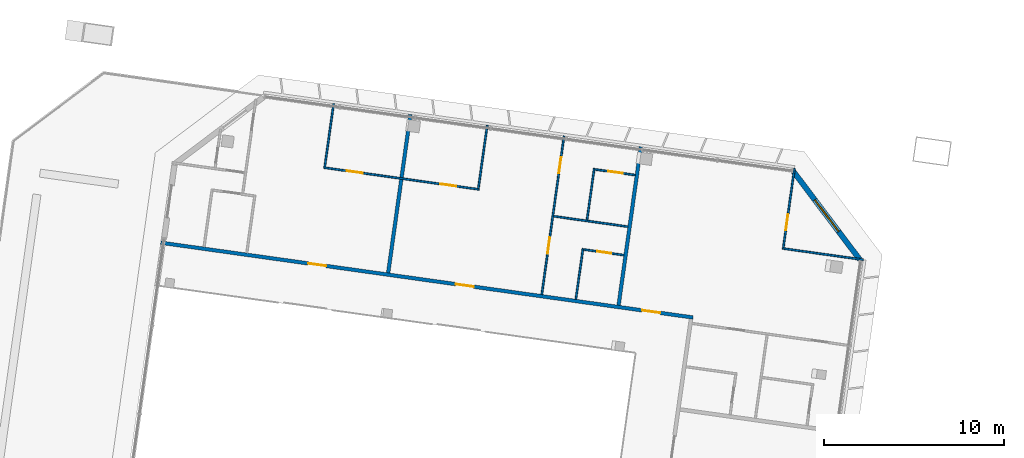
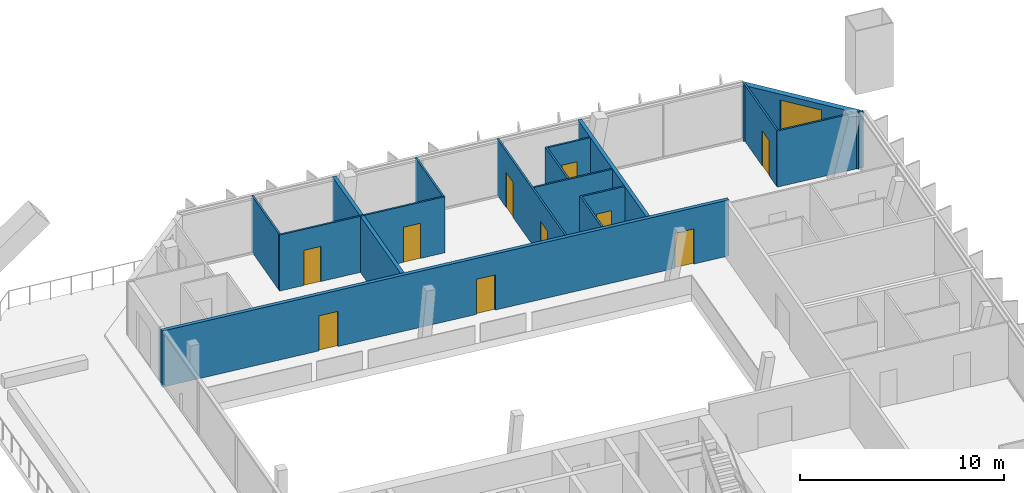
# One storey, part 11 of 17: 15 walls, 10 doors, 1 window, 11 openings.
"""IFC4 building model written with IfcOpenShell, lengths in metres."""

from ifc_helpers import new_model, si_unit, direction, frame, frame_2d, origin, place, context, subcontext, project, spatial, rectangle, extrude, material, layer, layer_set, type_object, element, fill, save


model = new_model("IFC4")

# Units and contexts
model_context = context("Model", 3, precision=1e-05, world=origin(), true_north=direction((0.0, 1.0)))
body_context = subcontext(model_context, "Body", "Model", "MODEL_VIEW")
ifc_project = project(units=[si_unit("LENGTHUNIT", "METRE"), si_unit("AREAUNIT", "SQUARE_METRE"), si_unit("VOLUMEUNIT", "CUBIC_METRE"), si_unit("PLANEANGLEUNIT", "RADIAN"), si_unit("MASSUNIT", "GRAM", prefix="KILO")], contexts=[model_context])

# Site, building, storey
site_placement = place(None, origin())
site = spatial("IfcSite", under=ifc_project, at=site_placement, CompositionType="ELEMENT")
building_placement = place(site_placement, origin())
building = spatial("IfcBuilding", under=site, at=building_placement, Name="Mirante Cascada Hotel Towers", CompositionType="ELEMENT")
storey_placement = place(building_placement, frame((0.0, 0.0, 250.8)))
storey = spatial("IfcBuildingStorey", under=building, at=storey_placement, Name="L60", CompositionType="ELEMENT", Elevation=250.8)

# Wall, openings, doors
ifc_material_1 = material(Name="Fire-rated plasterboard on metal studs")
ifc_layer_1 = layer(ifc_material_1, 0.2)
ifc_layer_set_1 = layer_set([ifc_layer_1], Name="Compartment wall 200 EI 120")
wall_type_1 = type_object("IfcWallType", Name="Compartment wall 200 EI 120", PredefinedType="PARTITIONING", material=ifc_layer_set_1)
wall_1_placement = place(storey_placement, frame((-25.7365, 7.4991, 0.0), z_axis=(0.0, 0.0, 1.0), x_axis=(-0.9902679, 0.139174, 0.0)))
wall_1 = element("IfcWall", 1, at=wall_1_placement, inside=storey, type_object=wall_type_1, Name="Wall 1-L60-11", PredefinedType="PARTITIONING", context=body_context, shape_type="SweptSolid", body=[
    extrude(rectangle(XDim=29.9, YDim=0.2, at=frame_2d((14.95, 0.0))), origin(), (0.0, 0.0, 1.0), 3.35),
])
opening_1_placement = place(wall_1_placement, frame((1.8472, 0.0, 0.0)))
opening_1 = element("IfcOpeningElement", 2, at=opening_1_placement, cuts=wall_1, Name="Opening D1-L60-06", PredefinedType="OPENING", context=body_context, shape_type="SweptSolid", body=[
    extrude(rectangle(XDim=1.0, YDim=2.1, at=frame_2d((0.5, 1.05))), frame((0.0, 0.1, 0.0), z_axis=(0.0, -1.0, 0.0), x_axis=(1.0, 0.0, 0.0)), (0.0, 0.0, 1.0), 0.2),
])
opening_2_placement = place(wall_1_placement, frame((12.3245, 0.0, 0.0)))
opening_2 = element("IfcOpeningElement", 3, at=opening_2_placement, cuts=wall_1, Name="Opening D1-L60-07", PredefinedType="OPENING", context=body_context, shape_type="SweptSolid", body=[
    extrude(rectangle(XDim=1.0, YDim=2.1, at=frame_2d((0.5, 1.05))), frame((0.0, 0.1, 0.0), z_axis=(0.0, -1.0, 0.0), x_axis=(1.0, 0.0, 0.0)), (0.0, 0.0, 1.0), 0.2),
])
opening_3_placement = place(wall_1_placement, frame((20.6122, 0.0, 0.0)))
opening_3 = element("IfcOpeningElement", 4, at=opening_3_placement, cuts=wall_1, Name="Opening D1-L60-08", PredefinedType="OPENING", context=body_context, shape_type="SweptSolid", body=[
    extrude(rectangle(XDim=1.0, YDim=2.1, at=frame_2d((0.5, 1.05))), frame((0.0, 0.1, 0.0), z_axis=(0.0, -1.0, 0.0), x_axis=(1.0, 0.0, 0.0)), (0.0, 0.0, 1.0), 0.2),
])
ifc_material_2 = material(Name="Fire-rated timber door leaf", Category="wood")
door_type_1 = type_object("IfcDoorType", Name="Entrance door DG1 1000x2100 EI 60", OperationType="SINGLE_SWING_LEFT", PredefinedType="DOOR", material=ifc_material_2)
door_1_placement = place(opening_1_placement, frame((1.0, 0.0, 0.0), z_axis=(0.0, 0.0, 1.0), x_axis=(-1.0, 0.0, 0.0)))
door_1 = element("IfcDoor", 5, at=door_1_placement, inside=storey, type_object=door_type_1, Name="Door D1-L60-06", OperationType="SINGLE_SWING_RIGHT", OverallHeight=2.1, OverallWidth=1.0, PredefinedType="DOOR", context=body_context, shape_type="SweptSolid", body=[
    extrude(rectangle(XDim=1.0, YDim=2.1, at=frame_2d((0.5, 1.05))), frame((0.0, 0.025, 0.0), z_axis=(0.0, -1.0, 0.0), x_axis=(1.0, 0.0, 0.0)), (0.0, 0.0, 1.0), 0.05),
])
fill(opening_1, door_1)
door_2_placement = place(opening_2_placement, frame((1.0, 0.0, 0.0), z_axis=(0.0, 0.0, 1.0), x_axis=(-1.0, 0.0, 0.0)))
door_2 = element("IfcDoor", 6, at=door_2_placement, inside=storey, type_object=door_type_1, Name="Door D1-L60-07", OperationType="SINGLE_SWING_RIGHT", OverallHeight=2.1, OverallWidth=1.0, PredefinedType="DOOR", context=body_context, shape_type="SweptSolid", body=[
    extrude(rectangle(XDim=1.0, YDim=2.1, at=frame_2d((0.5, 1.05))), frame((0.0, 0.025, 0.0), z_axis=(0.0, -1.0, 0.0), x_axis=(1.0, 0.0, 0.0)), (0.0, 0.0, 1.0), 0.05),
])
fill(opening_2, door_2)
door_3_placement = place(opening_3_placement, frame((1.0, 0.0, 0.0), z_axis=(0.0, 0.0, 1.0), x_axis=(-1.0, 0.0, 0.0)))
door_3 = element("IfcDoor", 7, at=door_3_placement, inside=storey, type_object=door_type_1, Name="Door D1-L60-08", OperationType="SINGLE_SWING_RIGHT", OverallHeight=2.1, OverallWidth=1.0, PredefinedType="DOOR", context=body_context, shape_type="SweptSolid", body=[
    extrude(rectangle(XDim=1.0, YDim=2.1, at=frame_2d((0.5, 1.05))), frame((0.0, 0.025, 0.0), z_axis=(0.0, -1.0, 0.0), x_axis=(1.0, 0.0, 0.0)), (0.0, 0.0, 1.0), 0.05),
])
fill(opening_3, door_3)

# Walls
for number, where, z_axis, x_axis, name in (
    (8, (-29.8761, 8.1818, 0.0), (0.0, 0.0, 1.0), (0.1391794, 0.9902672, 0.0), "Wall 1-L60-29"),
    (9, (-41.4567, 18.7969, 0.0), (0.0, 0.0, 1.0), (-0.1391794, -0.9902672, 0.0), "Wall 1-L60-34"),
):
    element("IfcWall", number, at=place(storey_placement, frame(where, z_axis=z_axis, x_axis=x_axis)), inside=storey, type_object=wall_type_1, Name=name, PredefinedType="PARTITIONING", context=body_context, shape_type="SweptSolid", body=[
        extrude(rectangle(XDim=8.9, YDim=0.2, at=frame_2d((4.45, 0.0))), origin(), (0.0, 0.0, 1.0), 3.35),
    ])

# Wall, opening, door
ifc_material_3 = material(Name="Plasterboard on metal studs")
ifc_layer_2 = layer(ifc_material_3, 0.1)
ifc_layer_set_2 = layer_set([ifc_layer_2], Name="Partition 100")
wall_type_2 = type_object("IfcWallType", Name="Partition 100", PredefinedType="PARTITIONING", material=ifc_layer_set_2)
wall_2_placement = place(storey_placement, frame((-31.8135, 11.2816, 0.0), z_axis=(0.0, 0.0, 1.0), x_axis=(0.9902705, -0.1391561, 0.0)))
wall_2 = element("IfcWall", 10, at=wall_2_placement, inside=storey, type_object=wall_type_2, Name="Wall 1-L60-12", PredefinedType="PARTITIONING", context=body_context, shape_type="SweptSolid", body=[
    extrude(rectangle(XDim=2.25, YDim=0.1, at=frame_2d((1.125, 0.0))), origin(), (0.0, 0.0, 1.0), 3.35),
])
opening_4_placement = place(wall_2_placement, frame((0.75, 0.0, 0.0)))
opening_4 = element("IfcOpeningElement", 11, at=opening_4_placement, cuts=wall_2, Name="Opening D1-L60-09", PredefinedType="OPENING", context=body_context, shape_type="SweptSolid", body=[
    extrude(rectangle(XDim=0.8, YDim=2.1, at=frame_2d((0.4, 1.05))), frame((0.0, 0.05, 0.0), z_axis=(0.0, -1.0, 0.0), x_axis=(1.0, 0.0, 0.0)), (0.0, 0.0, 1.0), 0.1),
])
ifc_material_4 = material(Name="Timber door leaf", Category="wood")
door_type_2 = type_object("IfcDoorType", Name="Bathroom door DG4 800x2100", OperationType="SINGLE_SWING_LEFT", PredefinedType="DOOR", material=ifc_material_4)
door_4_placement = place(opening_4_placement, frame((0.8, 0.0, 0.0), z_axis=(0.0, 0.0, 1.0), x_axis=(-1.0, 0.0, 0.0)))
door_4 = element("IfcDoor", 12, at=door_4_placement, inside=storey, type_object=door_type_2, Name="Door D1-L60-09", OperationType="SINGLE_SWING_RIGHT", OverallHeight=2.1, OverallWidth=0.8, PredefinedType="DOOR", context=body_context, shape_type="SweptSolid", body=[
    extrude(rectangle(XDim=0.8, YDim=2.1, at=frame_2d((0.4, 1.05))), frame((0.0, 0.025, 0.0), z_axis=(0.0, -1.0, 0.0), x_axis=(1.0, 0.0, 0.0)), (0.0, 0.0, 1.0), 0.05),
])
fill(opening_4, door_4)

# Walls
wall_3_placement = place(storey_placement, frame((-20.767, 11.3449, 0.0), z_axis=(0.0, 0.0, 1.0), x_axis=(0.9902661, -0.1391871, 0.0)))
element("IfcWall", 13, at=wall_3_placement, inside=storey, type_object=wall_type_2, Name="Wall 1-L60-14", PredefinedType="PARTITIONING", context=body_context, shape_type="SweptSolid", body=[
    extrude(rectangle(XDim=4.55, YDim=0.1, at=frame_2d((2.275, 0.0))), origin(), (0.0, 0.0, 1.0), 3.35),
])
wall_4_placement = place(storey_placement, frame((-29.3627, 12.5529, 0.0), z_axis=(0.0, 0.0, 1.0), x_axis=(-0.9902672, 0.1391791, 0.0)))
element("IfcWall", 14, at=wall_4_placement, inside=storey, type_object=wall_type_2, Name="Wall 1-L60-15", PredefinedType="PARTITIONING", context=body_context, shape_type="SweptSolid", body=[
    extrude(rectangle(XDim=4.1651, YDim=0.1, at=frame_2d((2.0826, 0.0))), origin(), (0.0, 0.0, 1.0), 3.35),
])

# Wall, openings, doors
wall_5_placement = place(storey_placement, frame((-37.6351, 14.6244, 0.0), z_axis=(0.0, 0.0, 1.0), x_axis=(-0.9902683, 0.1391711, 0.0)))
wall_5 = element("IfcWall", 15, at=wall_5_placement, inside=storey, type_object=wall_type_2, Name="Wall 1-L60-17", PredefinedType="PARTITIONING", context=body_context, shape_type="SweptSolid", body=[
    extrude(rectangle(XDim=8.7303, YDim=0.1, at=frame_2d((4.3652, 0.0))), origin(), (0.0, 0.0, 1.0), 3.35),
])
opening_5_placement = place(wall_5_placement, frame((1.2815, 0.0, 0.0)))
opening_5 = element("IfcOpeningElement", 16, at=opening_5_placement, cuts=wall_5, Name="Opening D1-L60-12", PredefinedType="OPENING", context=body_context, shape_type="SweptSolid", body=[
    extrude(rectangle(XDim=0.9, YDim=2.1, at=frame_2d((0.45, 1.05))), frame((0.0, 0.05, 0.0), z_axis=(0.0, -1.0, 0.0), x_axis=(1.0, 0.0, 0.0)), (0.0, 0.0, 1.0), 0.1),
])
opening_6_placement = place(wall_5_placement, frame((6.5487, 0.0, 0.0)))
opening_6 = element("IfcOpeningElement", 17, at=opening_6_placement, cuts=wall_5, Name="Opening D1-L60-13", PredefinedType="OPENING", context=body_context, shape_type="SweptSolid", body=[
    extrude(rectangle(XDim=0.9, YDim=2.1, at=frame_2d((0.45, 1.05))), frame((0.0, 0.05, 0.0), z_axis=(0.0, -1.0, 0.0), x_axis=(1.0, 0.0, 0.0)), (0.0, 0.0, 1.0), 0.1),
])
ifc_material_5 = material(Name="Timber door leaf", Category="wood")
door_type_3 = type_object("IfcDoorType", Name="Room door DG3 900x2100", OperationType="SINGLE_SWING_LEFT", PredefinedType="DOOR", material=ifc_material_5)
door_5_placement = place(opening_5_placement, origin())
door_5 = element("IfcDoor", 18, at=door_5_placement, inside=storey, type_object=door_type_3, Name="Door D1-L60-12", OperationType="SINGLE_SWING_LEFT", OverallHeight=2.1, OverallWidth=0.9, PredefinedType="DOOR", context=body_context, shape_type="SweptSolid", body=[
    extrude(rectangle(XDim=0.9, YDim=2.1, at=frame_2d((0.45, 1.05))), frame((0.0, 0.025, 0.0), z_axis=(0.0, -1.0, 0.0), x_axis=(1.0, 0.0, 0.0)), (0.0, 0.0, 1.0), 0.05),
])
fill(opening_5, door_5)
door_6_placement = place(opening_6_placement, origin())
door_6 = element("IfcDoor", 19, at=door_6_placement, inside=storey, type_object=door_type_3, Name="Door D1-L60-13", OperationType="SINGLE_SWING_LEFT", OverallHeight=2.1, OverallWidth=0.9, PredefinedType="DOOR", context=body_context, shape_type="SweptSolid", body=[
    extrude(rectangle(XDim=0.9, YDim=2.1, at=frame_2d((0.45, 1.05))), frame((0.0, 0.025, 0.0), z_axis=(0.0, -1.0, 0.0), x_axis=(1.0, 0.0, 0.0)), (0.0, 0.0, 1.0), 0.05),
])
fill(opening_6, door_6)

# Wall, opening, door
wall_6_placement = place(storey_placement, frame((-31.1872, 15.7379, 0.0), z_axis=(0.0, 0.0, 1.0), x_axis=(0.9902643, -0.1391997, 0.0)))
wall_6 = element("IfcWall", 20, at=wall_6_placement, inside=storey, type_object=wall_type_2, Name="Wall 1-L60-18", PredefinedType="PARTITIONING", context=body_context, shape_type="SweptSolid", body=[
    extrude(rectangle(XDim=2.25, YDim=0.1, at=frame_2d((1.125, 0.0))), origin(), (0.0, 0.0, 1.0), 3.35),
])
opening_7_placement = place(wall_6_placement, frame((0.75, 0.0, 0.0)))
opening_7 = element("IfcOpeningElement", 21, at=opening_7_placement, cuts=wall_6, Name="Opening D1-L60-14", PredefinedType="OPENING", context=body_context, shape_type="SweptSolid", body=[
    extrude(rectangle(XDim=0.8, YDim=2.1, at=frame_2d((0.4, 1.05))), frame((0.0, 0.05, 0.0), z_axis=(0.0, -1.0, 0.0), x_axis=(1.0, 0.0, 0.0)), (0.0, 0.0, 1.0), 0.1),
])
door_7_placement = place(opening_7_placement, frame((0.8, 0.0, 0.0), z_axis=(0.0, 0.0, 1.0), x_axis=(-1.0, 0.0, 0.0)))
door_7 = element("IfcDoor", 22, at=door_7_placement, inside=storey, type_object=door_type_2, Name="Door D1-L60-14", OperationType="SINGLE_SWING_RIGHT", OverallHeight=2.1, OverallWidth=0.8, PredefinedType="DOOR", context=body_context, shape_type="SweptSolid", body=[
    extrude(rectangle(XDim=0.8, YDim=2.1, at=frame_2d((0.4, 1.05))), frame((0.0, 0.025, 0.0), z_axis=(0.0, -1.0, 0.0), x_axis=(1.0, 0.0, 0.0)), (0.0, 0.0, 1.0), 0.05),
])
fill(opening_7, door_7)

wall_7_placement = place(storey_placement, frame((-20.0912, 15.7941, 0.0), z_axis=(0.0, 0.0, 1.0), x_axis=(-0.1391684, -0.9902687, 0.0)))
wall_7 = element("IfcWall", 23, at=wall_7_placement, inside=storey, type_object=wall_type_2, Name="Wall 1-L60-22", PredefinedType="PARTITIONING", context=body_context, shape_type="SweptSolid", body=[
    extrude(rectangle(XDim=4.45, YDim=0.1, at=frame_2d((2.225, 0.0))), origin(), (0.0, 0.0, 1.0), 3.35),
])
opening_8_placement = place(wall_7_placement, frame((2.5833, 0.0, 0.0)))
opening_8 = element("IfcOpeningElement", 24, at=opening_8_placement, cuts=wall_7, Name="Opening D1-L60-18", PredefinedType="OPENING", context=body_context, shape_type="SweptSolid", body=[
    extrude(rectangle(XDim=0.9, YDim=2.1, at=frame_2d((0.45, 1.05))), frame((0.0, 0.05, 0.0), z_axis=(0.0, -1.0, 0.0), x_axis=(1.0, 0.0, 0.0)), (0.0, 0.0, 1.0), 0.1),
])
door_8_placement = place(opening_8_placement, frame((0.9, 0.0, 0.0), z_axis=(0.0, 0.0, 1.0), x_axis=(-1.0, 0.0, 0.0)))
door_8 = element("IfcDoor", 25, at=door_8_placement, inside=storey, type_object=door_type_3, Name="Door D1-L60-18", OperationType="SINGLE_SWING_RIGHT", OverallHeight=2.1, OverallWidth=0.9, PredefinedType="DOOR", context=body_context, shape_type="SweptSolid", body=[
    extrude(rectangle(XDim=0.9, YDim=2.1, at=frame_2d((0.45, 1.05))), frame((0.0, 0.025, 0.0), z_axis=(0.0, -1.0, 0.0), x_axis=(1.0, 0.0, 0.0)), (0.0, 0.0, 1.0), 0.05),
])
fill(opening_8, door_8)

# Walls
wall_8_placement = place(storey_placement, frame((-31.8561, 11.3381, 0.0), z_axis=(0.0, 0.0, 1.0), x_axis=(-0.1391613, -0.9902697, 0.0)))
element("IfcWall", 26, at=wall_8_placement, inside=storey, type_object=wall_type_2, Name="Wall 1-L60-30", PredefinedType="PARTITIONING", context=body_context, shape_type="SweptSolid", body=[
    extrude(rectangle(XDim=2.8499, YDim=0.1, at=frame_2d((1.425, 0.0))), origin(), (0.0, 0.0, 1.0), 3.35),
])
wall_9_placement = place(storey_placement, frame((-31.6334, 12.9225, 0.0), z_axis=(0.0, 0.0, 1.0), x_axis=(0.1391714, 0.9902683, 0.0)))
element("IfcWall", 27, at=wall_9_placement, inside=storey, type_object=wall_type_2, Name="Wall 1-L60-31", PredefinedType="PARTITIONING", context=body_context, shape_type="SweptSolid", body=[
    extrude(rectangle(XDim=2.9, YDim=0.1, at=frame_2d((1.45, 0.0))), origin(), (0.0, 0.0, 1.0), 3.35),
])

# Wall, openings, doors
wall_10_placement = place(storey_placement, frame((-32.9105, 17.5958, 0.0), z_axis=(0.0, 0.0, 1.0), x_axis=(-0.1391794, -0.9902672, 0.0)))
wall_10 = element("IfcWall", 28, at=wall_10_placement, inside=storey, type_object=wall_type_2, Name="Wall 1-L60-32", PredefinedType="PARTITIONING", context=body_context, shape_type="SweptSolid", body=[
    extrude(rectangle(XDim=8.9, YDim=0.1, at=frame_2d((4.45, 0.0))), origin(), (0.0, 0.0, 1.0), 3.35),
])
opening_9_placement = place(wall_10_placement, frame((5.7, 0.0, 0.0)))
opening_9 = element("IfcOpeningElement", 29, at=opening_9_placement, cuts=wall_10, Name="Opening D1-L60-23", PredefinedType="OPENING", context=body_context, shape_type="SweptSolid", body=[
    extrude(rectangle(XDim=0.9, YDim=2.1, at=frame_2d((0.45, 1.05))), frame((0.0, 0.05, 0.0), z_axis=(0.0, -1.0, 0.0), x_axis=(1.0, 0.0, 0.0)), (0.0, 0.0, 1.0), 0.1),
])
opening_10_placement = place(wall_10_placement, frame((1.2, 0.0, 0.0)))
opening_10 = element("IfcOpeningElement", 30, at=opening_10_placement, cuts=wall_10, Name="Opening D1-L60-24", PredefinedType="OPENING", context=body_context, shape_type="SweptSolid", body=[
    extrude(rectangle(XDim=0.9, YDim=2.1, at=frame_2d((0.45, 1.05))), frame((0.0, 0.05, 0.0), z_axis=(0.0, -1.0, 0.0), x_axis=(1.0, 0.0, 0.0)), (0.0, 0.0, 1.0), 0.1),
])
door_9_placement = place(opening_9_placement, frame((0.9, 0.0, 0.0), z_axis=(0.0, 0.0, 1.0), x_axis=(-1.0, 0.0, 0.0)))
door_9 = element("IfcDoor", 31, at=door_9_placement, inside=storey, type_object=door_type_3, Name="Door D1-L60-23", OperationType="SINGLE_SWING_RIGHT", OverallHeight=2.1, OverallWidth=0.9, PredefinedType="DOOR", context=body_context, shape_type="SweptSolid", body=[
    extrude(rectangle(XDim=0.9, YDim=2.1, at=frame_2d((0.45, 1.05))), frame((0.0, 0.025, 0.0), z_axis=(0.0, -1.0, 0.0), x_axis=(1.0, 0.0, 0.0)), (0.0, 0.0, 1.0), 0.05),
])
fill(opening_9, door_9)
door_10_placement = place(opening_10_placement, frame((0.9, 0.0, 0.0), z_axis=(0.0, 0.0, 1.0), x_axis=(-1.0, 0.0, 0.0)))
door_10 = element("IfcDoor", 32, at=door_10_placement, inside=storey, type_object=door_type_3, Name="Door D1-L60-24", OperationType="SINGLE_SWING_RIGHT", OverallHeight=2.1, OverallWidth=0.9, PredefinedType="DOOR", context=body_context, shape_type="SweptSolid", body=[
    extrude(rectangle(XDim=0.9, YDim=2.1, at=frame_2d((0.45, 1.05))), frame((0.0, 0.025, 0.0), z_axis=(0.0, -1.0, 0.0), x_axis=(1.0, 0.0, 0.0)), (0.0, 0.0, 1.0), 0.05),
])
fill(opening_10, door_10)

# Walls
for number, where, z_axis, x_axis, name in (
    (33, (-37.6777, 14.6809, 0.0), (0.0, 0.0, 1.0), (0.1391849, 0.9902664, 0.0), "Wall 1-L60-33"),
    (34, (-46.2239, 15.882, 0.0), (0.0, 0.0, 1.0), (0.1391849, 0.9902664, 0.0), "Wall 1-L60-35"),
):
    element("IfcWall", number, at=place(storey_placement, frame(where, z_axis=z_axis, x_axis=x_axis)), inside=storey, type_object=wall_type_2, Name=name, PredefinedType="PARTITIONING", context=body_context, shape_type="SweptSolid", body=[
        extrude(rectangle(XDim=3.55, YDim=0.1, at=frame_2d((1.775, 0.0))), origin(), (0.0, 0.0, 1.0), 3.35),
    ])

# Wall, opening, window
ifc_material_6 = material(Name="Precast concrete C40/50", Category="concrete")
ifc_layer_3 = layer(ifc_material_6, 0.3)
ifc_layer_set_3 = layer_set([ifc_layer_3], Name="Precast concrete C40/50 cladding wall 300")
wall_type_3 = type_object("IfcWallType", Name="Precast concrete C40/50 cladding wall 300", PredefinedType="STANDARD", material=ifc_layer_set_3)
wall_11_placement = place(storey_placement, frame((-20.1362, 15.6047, 0.0), z_axis=(0.0, 0.0, 1.0), x_axis=(0.6018141, -0.7986362, 0.0)))
wall_11 = element("IfcWall", 35, at=wall_11_placement, inside=storey, type_object=wall_type_3, Name="Corner cladding wall T1 L60 front inner", PredefinedType="STANDARD", context=body_context, shape_type="SweptSolid", body=[
    extrude(rectangle(XDim=6.1157, YDim=0.3, at=frame_2d((3.0578, 0.0))), origin(), (0.0, 0.0, 1.0), 3.35),
])
opening_11_placement = place(wall_11_placement, frame((1.9578, 0.0, 0.6)))
opening_11 = element("IfcOpeningElement", 36, at=opening_11_placement, cuts=wall_11, Name="Opening W1-60-06", PredefinedType="OPENING", context=body_context, shape_type="SweptSolid", body=[
    extrude(rectangle(XDim=2.2, YDim=2.4, at=frame_2d((1.1, 1.2))), frame((0.0, 0.15, 0.0), z_axis=(0.0, -1.0, 0.0), x_axis=(1.0, 0.0, 0.0)), (0.0, 0.0, 1.0), 0.3),
])
ifc_material_7 = material(Name="Aluminium frame with clear double glazing", Category="aluminium")
window_type = type_object("IfcWindowType", Name="Corner suite window 2200x2400", PartitioningType="DOUBLE_PANEL_VERTICAL", PredefinedType="WINDOW", material=ifc_material_7)
window_placement = place(opening_11_placement, origin())
window = element("IfcWindow", 37, at=window_placement, inside=storey, type_object=window_type, Name="Window W1-60-06", OverallHeight=2.4, OverallWidth=2.2, PartitioningType="SINGLE_PANEL", PredefinedType="WINDOW", context=body_context, shape_type="SweptSolid", body=[
    extrude(rectangle(XDim=2.2, YDim=2.4, at=frame_2d((1.1, 1.2))), frame((0.0, 0.03, 0.0), z_axis=(0.0, -1.0, 0.0), x_axis=(1.0, 0.0, 0.0)), (0.0, 0.0, 1.0), 0.06),
])
fill(opening_11, window)

save(model, "model.ifc")
